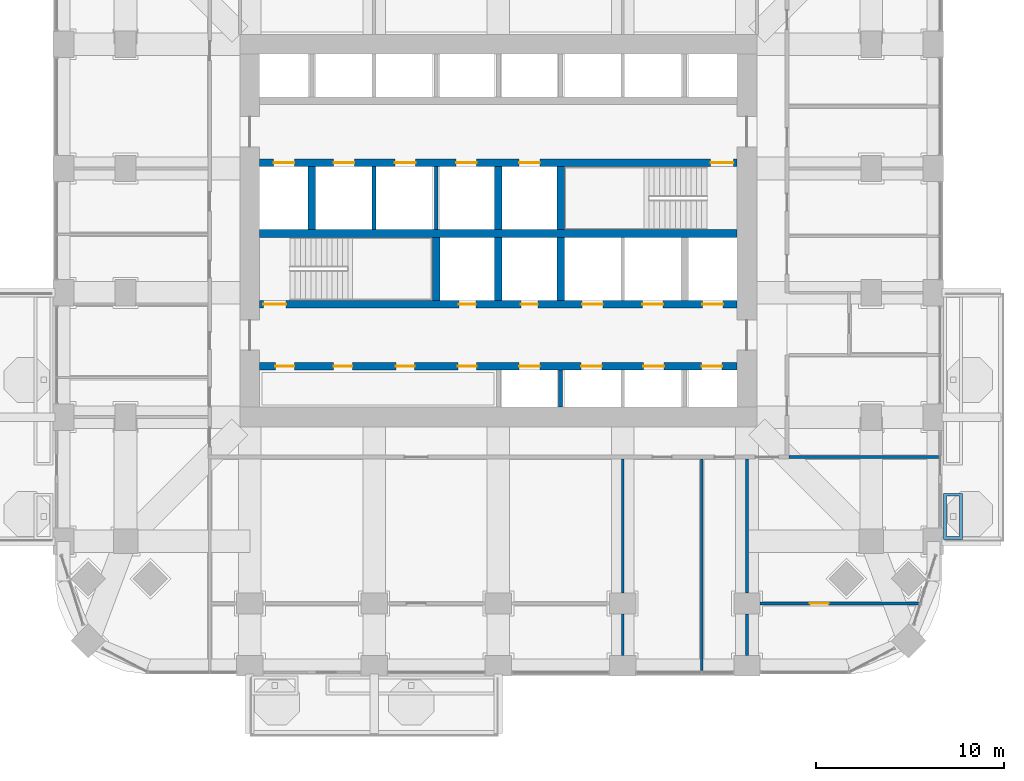
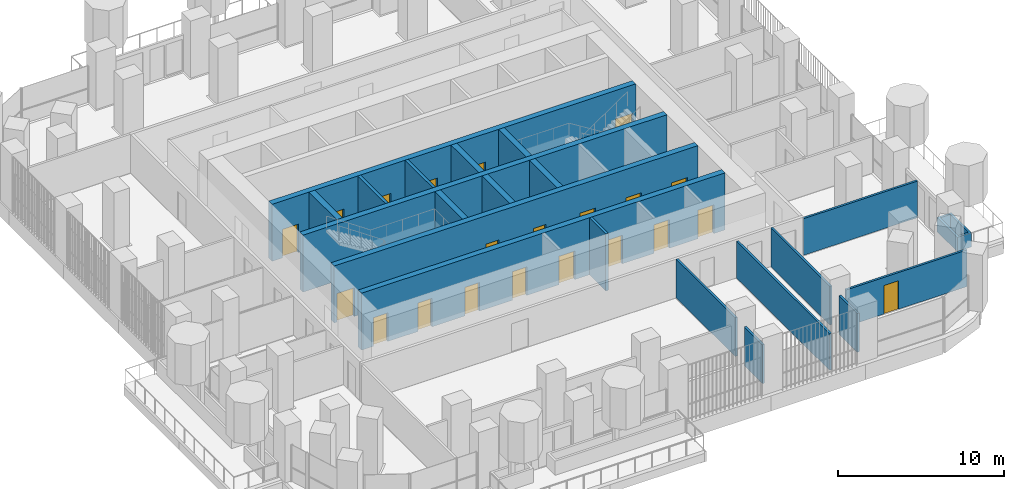
# One storey, part 14 of 21: 21 doors, 21 walls, 21 openings.
"""IFC4 building model written with IfcOpenShell, lengths in metres."""

from ifc_helpers import new_model, si_unit, direction, frame, frame_2d, origin, place, context, subcontext, project, spatial, polyline, rectangle, outline, extrude, material, layer, layer_set, type_object, element, fill, save


model = new_model("IFC4")

# Units and contexts
model_context = context("Model", 3, precision=1e-05, world=origin(), true_north=direction((0.0, 1.0)))
body_context = subcontext(model_context, "Body", "Model", "MODEL_VIEW")
ifc_project = project(units=[si_unit("LENGTHUNIT", "METRE"), si_unit("AREAUNIT", "SQUARE_METRE"), si_unit("VOLUMEUNIT", "CUBIC_METRE"), si_unit("PLANEANGLEUNIT", "RADIAN"), si_unit("MASSUNIT", "GRAM", prefix="KILO")], contexts=[model_context])

# Site, building, storey
site_placement = place(None, origin())
site = spatial("IfcSite", under=ifc_project, at=site_placement, CompositionType="ELEMENT")
building_placement = place(site_placement, origin())
building = spatial("IfcBuilding", under=site, at=building_placement, Name="Cobogo Forest Laboratory Tower", CompositionType="ELEMENT")
storey_placement = place(building_placement, frame((0.0, 0.0, 124.199951171875)))
storey = spatial("IfcBuildingStorey", under=building, at=storey_placement, Name="L28", CompositionType="ELEMENT", Elevation=124.199951171875)

# Wall, openings, doors
ifc_material_1 = material(Name="Concrete HA-50 (C50/60)", Category="concrete")
ifc_layer_1 = layer(ifc_material_1, 0.39990234375)
ifc_layer_set_1 = layer_set([ifc_layer_1], Name="CI400 core inner wall 400")
wall_type_1 = type_object("IfcWallType", Name="CI400 core inner wall 400", PredefinedType="SHEAR", material=ifc_layer_set_1)
wall_1_placement = place(storey_placement, frame((13.72509765625, 15.89990234375, 0.0), z_axis=(0.0, 0.0, 1.0), x_axis=(1.0, 0.0, 0.0)))
wall_1 = element("IfcWall", 1, at=wall_1_placement, inside=storey, type_object=wall_type_1, Name="Core wall CI-15.9 L28", PredefinedType="SHEAR", context=body_context, shape_type="SweptSolid", body=[
    extrude(rectangle(XDim=25.349853515625, YDim=0.39990234375, at=frame_2d((12.6748046875, 0.0))), origin(), (0.0, 0.0, 1.0), 4.199951171875),
])
opening_1_placement = place(wall_1_placement, frame((0.83740234375, 0.0, 0.0)))
opening_1 = element("IfcOpeningElement", 2, at=opening_1_placement, cuts=wall_1, Name="Opening L28-D13", PredefinedType="OPENING", context=body_context, shape_type="SweptSolid", body=[
    extrude(rectangle(XDim=1.0, YDim=2.10009765625, at=frame_2d((0.5, 1.050048828125))), frame((0.0, 0.2099609375, 0.0), z_axis=(0.0, -1.0, 0.0), x_axis=(1.0, 0.0, 0.0)), (0.0, 0.0, 1.0), 0.419921875),
])
opening_2_placement = place(wall_1_placement, frame((3.925048828125, 0.0, 0.0)))
opening_2 = element("IfcOpeningElement", 3, at=opening_2_placement, cuts=wall_1, Name="Opening L28-D14", PredefinedType="OPENING", context=body_context, shape_type="SweptSolid", body=[
    extrude(rectangle(XDim=1.0, YDim=2.10009765625, at=frame_2d((0.5, 1.050048828125))), frame((0.0, 0.2099609375, 0.0), z_axis=(0.0, -1.0, 0.0), x_axis=(1.0, 0.0, 0.0)), (0.0, 0.0, 1.0), 0.419921875),
])
opening_3_placement = place(wall_1_placement, frame((7.22509765625, 0.0, 0.0)))
opening_3 = element("IfcOpeningElement", 4, at=opening_3_placement, cuts=wall_1, Name="Opening L28-D15", PredefinedType="OPENING", context=body_context, shape_type="SweptSolid", body=[
    extrude(rectangle(XDim=1.0, YDim=2.10009765625, at=frame_2d((0.5, 1.050048828125))), frame((0.0, 0.2099609375, 0.0), z_axis=(0.0, -1.0, 0.0), x_axis=(1.0, 0.0, 0.0)), (0.0, 0.0, 1.0), 0.419921875),
])
opening_4_placement = place(wall_1_placement, frame((10.52490234375, 0.0, 0.0)))
opening_4 = element("IfcOpeningElement", 5, at=opening_4_placement, cuts=wall_1, Name="Opening L28-D16", PredefinedType="OPENING", context=body_context, shape_type="SweptSolid", body=[
    extrude(rectangle(XDim=1.0, YDim=2.10009765625, at=frame_2d((0.5, 1.050048828125))), frame((0.0, 0.2099609375, 0.0), z_axis=(0.0, -1.0, 0.0), x_axis=(1.0, 0.0, 0.0)), (0.0, 0.0, 1.0), 0.419921875),
])
opening_5_placement = place(wall_1_placement, frame((13.77490234375, 0.0, 0.0)))
opening_5 = element("IfcOpeningElement", 6, at=opening_5_placement, cuts=wall_1, Name="Opening L28-LD-LB1", PredefinedType="OPENING", context=body_context, shape_type="SweptSolid", body=[
    extrude(rectangle(XDim=1.10009765625, YDim=2.10009765625, at=frame_2d((0.550048828125, 1.050048828125))), frame((0.0, 0.2099609375, 0.0), z_axis=(0.0, -1.0, 0.0), x_axis=(1.0, 0.0, 0.0)), (0.0, 0.0, 1.0), 0.419921875),
])
opening_6_placement = place(wall_1_placement, frame((17.074951171875, 0.0, 0.0)))
opening_6 = element("IfcOpeningElement", 7, at=opening_6_placement, cuts=wall_1, Name="Opening L28-LD-LB2", PredefinedType="OPENING", context=body_context, shape_type="SweptSolid", body=[
    extrude(rectangle(XDim=1.10009765625, YDim=2.10009765625, at=frame_2d((0.550048828125, 1.050048828125))), frame((0.0, 0.2099609375, 0.0), z_axis=(0.0, -1.0, 0.0), x_axis=(1.0, 0.0, 0.0)), (0.0, 0.0, 1.0), 0.419921875),
])
opening_7_placement = place(wall_1_placement, frame((20.375, 0.0, 0.0)))
opening_7 = element("IfcOpeningElement", 8, at=opening_7_placement, cuts=wall_1, Name="Opening L28-LD-LB3", PredefinedType="OPENING", context=body_context, shape_type="SweptSolid", body=[
    extrude(rectangle(XDim=1.10009765625, YDim=2.10009765625, at=frame_2d((0.550048828125, 1.050048828125))), frame((0.0, 0.2099609375, 0.0), z_axis=(0.0, -1.0, 0.0), x_axis=(1.0, 0.0, 0.0)), (0.0, 0.0, 1.0), 0.419921875),
])
opening_8_placement = place(wall_1_placement, frame((23.46240234375, 0.0, 0.0)))
opening_8 = element("IfcOpeningElement", 9, at=opening_8_placement, cuts=wall_1, Name="Opening L28-LD-LB4", PredefinedType="OPENING", context=body_context, shape_type="SweptSolid", body=[
    extrude(rectangle(XDim=1.10009765625, YDim=2.10009765625, at=frame_2d((0.550048828125, 1.050048828125))), frame((0.0, 0.2099609375, 0.0), z_axis=(0.0, -1.0, 0.0), x_axis=(1.0, 0.0, 0.0)), (0.0, 0.0, 1.0), 0.419921875),
])
ifc_material_2 = material(Name="Steel fire door", Category="steel")
door_type_1 = type_object("IfcDoorType", Name="FD1 fire door 1000 EI2 60", OperationType="SINGLE_SWING_LEFT", PredefinedType="DOOR", material=ifc_material_2)
door_1_placement = place(opening_1_placement, origin())
door_1 = element("IfcDoor", 10, at=door_1_placement, inside=storey, type_object=door_type_1, Name="Door L28-SH-LA1", OperationType="SINGLE_SWING_LEFT", OverallHeight=2.10009765625, OverallWidth=1.0, PredefinedType="DOOR", context=body_context, shape_type="SweptSolid", body=[
    extrude(rectangle(XDim=1.0, YDim=2.10009765625, at=frame_2d((0.5, 1.050048828125))), frame((0.0, 0.02490234375, 0.0), z_axis=(0.0, -1.0, 0.0), x_axis=(1.0, 0.0, 0.0)), (0.0, 0.0, 1.0), 0.050048828125),
])
fill(opening_1, door_1)
door_2_placement = place(opening_2_placement, origin())
door_2 = element("IfcDoor", 11, at=door_2_placement, inside=storey, type_object=door_type_1, Name="Door L28-SH-LA2", OperationType="SINGLE_SWING_LEFT", OverallHeight=2.10009765625, OverallWidth=1.0, PredefinedType="DOOR", context=body_context, shape_type="SweptSolid", body=[
    extrude(rectangle(XDim=1.0, YDim=2.10009765625, at=frame_2d((0.5, 1.050048828125))), frame((0.0, 0.02490234375, 0.0), z_axis=(0.0, -1.0, 0.0), x_axis=(1.0, 0.0, 0.0)), (0.0, 0.0, 1.0), 0.050048828125),
])
fill(opening_2, door_2)
door_3_placement = place(opening_3_placement, origin())
door_3 = element("IfcDoor", 12, at=door_3_placement, inside=storey, type_object=door_type_1, Name="Door L28-SH-LA3", OperationType="SINGLE_SWING_LEFT", OverallHeight=2.10009765625, OverallWidth=1.0, PredefinedType="DOOR", context=body_context, shape_type="SweptSolid", body=[
    extrude(rectangle(XDim=1.0, YDim=2.10009765625, at=frame_2d((0.5, 1.050048828125))), frame((0.0, 0.02490234375, 0.0), z_axis=(0.0, -1.0, 0.0), x_axis=(1.0, 0.0, 0.0)), (0.0, 0.0, 1.0), 0.050048828125),
])
fill(opening_3, door_3)
door_4_placement = place(opening_4_placement, origin())
door_4 = element("IfcDoor", 13, at=door_4_placement, inside=storey, type_object=door_type_1, Name="Door L28-SH-LA4", OperationType="SINGLE_SWING_LEFT", OverallHeight=2.10009765625, OverallWidth=1.0, PredefinedType="DOOR", context=body_context, shape_type="SweptSolid", body=[
    extrude(rectangle(XDim=1.0, YDim=2.10009765625, at=frame_2d((0.5, 1.050048828125))), frame((0.0, 0.02490234375, 0.0), z_axis=(0.0, -1.0, 0.0), x_axis=(1.0, 0.0, 0.0)), (0.0, 0.0, 1.0), 0.050048828125),
])
fill(opening_4, door_4)
ifc_material_3 = material(Name="Stainless steel lift door", Category="steel")
door_type_2 = type_object("IfcDoorType", Name="LD lift landing door 1100", OperationType="DOUBLE_DOOR_SLIDING", PredefinedType="DOOR", material=ifc_material_3)
door_5_placement = place(opening_5_placement, origin())
door_5 = element("IfcDoor", 14, at=door_5_placement, inside=storey, type_object=door_type_2, Name="Lift landing door LB1 L28", OperationType="DOUBLE_DOOR_SLIDING", OverallHeight=2.10009765625, OverallWidth=1.10009765625, PredefinedType="DOOR", context=body_context, shape_type="SweptSolid", body=[
    extrude(rectangle(XDim=1.10009765625, YDim=2.10009765625, at=frame_2d((0.550048828125, 1.050048828125))), frame((0.0, 0.02490234375, 0.0), z_axis=(0.0, -1.0, 0.0), x_axis=(1.0, 0.0, 0.0)), (0.0, 0.0, 1.0), 0.050048828125),
])
fill(opening_5, door_5)
door_6_placement = place(opening_6_placement, origin())
door_6 = element("IfcDoor", 15, at=door_6_placement, inside=storey, type_object=door_type_2, Name="Lift landing door LB2 L28", OperationType="DOUBLE_DOOR_SLIDING", OverallHeight=2.10009765625, OverallWidth=1.10009765625, PredefinedType="DOOR", context=body_context, shape_type="SweptSolid", body=[
    extrude(rectangle(XDim=1.10009765625, YDim=2.10009765625, at=frame_2d((0.550048828125, 1.050048828125))), frame((0.0, 0.02490234375, 0.0), z_axis=(0.0, -1.0, 0.0), x_axis=(1.0, 0.0, 0.0)), (0.0, 0.0, 1.0), 0.050048828125),
])
fill(opening_6, door_6)
door_7_placement = place(opening_7_placement, origin())
door_7 = element("IfcDoor", 16, at=door_7_placement, inside=storey, type_object=door_type_2, Name="Lift landing door LB3 L28", OperationType="DOUBLE_DOOR_SLIDING", OverallHeight=2.10009765625, OverallWidth=1.10009765625, PredefinedType="DOOR", context=body_context, shape_type="SweptSolid", body=[
    extrude(rectangle(XDim=1.10009765625, YDim=2.10009765625, at=frame_2d((0.550048828125, 1.050048828125))), frame((0.0, 0.02490234375, 0.0), z_axis=(0.0, -1.0, 0.0), x_axis=(1.0, 0.0, 0.0)), (0.0, 0.0, 1.0), 0.050048828125),
])
fill(opening_7, door_7)
door_8_placement = place(opening_8_placement, origin())
door_8 = element("IfcDoor", 17, at=door_8_placement, inside=storey, type_object=door_type_2, Name="Lift landing door LB4 L28", OperationType="DOUBLE_DOOR_SLIDING", OverallHeight=2.10009765625, OverallWidth=1.10009765625, PredefinedType="DOOR", context=body_context, shape_type="SweptSolid", body=[
    extrude(rectangle(XDim=1.10009765625, YDim=2.10009765625, at=frame_2d((0.550048828125, 1.050048828125))), frame((0.0, 0.02490234375, 0.0), z_axis=(0.0, -1.0, 0.0), x_axis=(1.0, 0.0, 0.0)), (0.0, 0.0, 1.0), 0.050048828125),
])
fill(opening_8, door_8)

wall_2_placement = place(storey_placement, frame((13.72509765625, 19.199951171875, 0.0), z_axis=(0.0, 0.0, 1.0), x_axis=(1.0, 0.0, 0.0)))
wall_2 = element("IfcWall", 18, at=wall_2_placement, inside=storey, type_object=wall_type_1, Name="Core wall CI-19.2 L28", PredefinedType="SHEAR", context=body_context, shape_type="SweptSolid", body=[
    extrude(rectangle(XDim=25.349853515625, YDim=0.39990234375, at=frame_2d((12.6748046875, 0.0))), origin(), (0.0, 0.0, 1.0), 4.199951171875),
])
opening_9_placement = place(wall_2_placement, frame((10.574951171875, 0.0, 0.0)))
opening_9 = element("IfcOpeningElement", 19, at=opening_9_placement, cuts=wall_2, Name="Opening L28-D22", PredefinedType="OPENING", context=body_context, shape_type="SweptSolid", body=[
    extrude(rectangle(XDim=0.89990234375, YDim=2.10009765625, at=frame_2d((0.449951171875, 1.050048828125))), frame((0.0, 0.2099609375, 0.0), z_axis=(0.0, -1.0, 0.0), x_axis=(1.0, 0.0, 0.0)), (0.0, 0.0, 1.0), 0.419921875),
])
opening_10_placement = place(wall_2_placement, frame((13.875, 0.0, 0.0)))
opening_10 = element("IfcOpeningElement", 20, at=opening_10_placement, cuts=wall_2, Name="Opening L28-D23", PredefinedType="OPENING", context=body_context, shape_type="SweptSolid", body=[
    extrude(rectangle(XDim=0.89990234375, YDim=2.10009765625, at=frame_2d((0.449951171875, 1.050048828125))), frame((0.0, 0.2099609375, 0.0), z_axis=(0.0, -1.0, 0.0), x_axis=(1.0, 0.0, 0.0)), (0.0, 0.0, 1.0), 0.419921875),
])
opening_11_placement = place(wall_2_placement, frame((0.199951171875, 0.0, 0.0)))
opening_11 = element("IfcOpeningElement", 21, at=opening_11_placement, cuts=wall_2, Name="Opening L28-D21", PredefinedType="OPENING", context=body_context, shape_type="SweptSolid", body=[
    extrude(rectangle(XDim=1.199951171875, YDim=2.10009765625, at=frame_2d((0.60009765625, 1.050048828125))), frame((0.0, 0.2099609375, 0.0), z_axis=(0.0, -1.0, 0.0), x_axis=(1.0, 0.0, 0.0)), (0.0, 0.0, 1.0), 0.419921875),
])
opening_12_placement = place(wall_2_placement, frame((23.512451171875, 0.0, 0.0)))
opening_12 = element("IfcOpeningElement", 22, at=opening_12_placement, cuts=wall_2, Name="Opening L28-LD-FL2", PredefinedType="OPENING", context=body_context, shape_type="SweptSolid", body=[
    extrude(rectangle(XDim=1.10009765625, YDim=2.10009765625, at=frame_2d((0.550048828125, 1.050048828125))), frame((0.0, 0.2099609375, 0.0), z_axis=(0.0, -1.0, 0.0), x_axis=(1.0, 0.0, 0.0)), (0.0, 0.0, 1.0), 0.419921875),
])
opening_13_placement = place(wall_2_placement, frame((17.125, 0.0, 0.0)))
opening_13 = element("IfcOpeningElement", 23, at=opening_13_placement, cuts=wall_2, Name="Opening L28-LD-LS1", PredefinedType="OPENING", context=body_context, shape_type="SweptSolid", body=[
    extrude(rectangle(XDim=1.10009765625, YDim=2.10009765625, at=frame_2d((0.550048828125, 1.050048828125))), frame((0.0, 0.2099609375, 0.0), z_axis=(0.0, -1.0, 0.0), x_axis=(1.0, 0.0, 0.0)), (0.0, 0.0, 1.0), 0.419921875),
])
opening_14_placement = place(wall_2_placement, frame((20.324951171875, 0.0, 0.0)))
opening_14 = element("IfcOpeningElement", 24, at=opening_14_placement, cuts=wall_2, Name="Opening L28-LD-LS2", PredefinedType="OPENING", context=body_context, shape_type="SweptSolid", body=[
    extrude(rectangle(XDim=1.10009765625, YDim=2.10009765625, at=frame_2d((0.550048828125, 1.050048828125))), frame((0.0, 0.2099609375, 0.0), z_axis=(0.0, -1.0, 0.0), x_axis=(1.0, 0.0, 0.0)), (0.0, 0.0, 1.0), 0.419921875),
])
door_type_3 = type_object("IfcDoorType", Name="DS1 protected stair door 1200 EI2 60", OperationType="SINGLE_SWING_LEFT", PredefinedType="DOOR", material=ifc_material_2)
door_9_placement = place(opening_11_placement, origin())
door_9 = element("IfcDoor", 25, at=door_9_placement, inside=storey, type_object=door_type_3, Name="Door L28-ST1", OperationType="SINGLE_SWING_LEFT", OverallHeight=2.10009765625, OverallWidth=1.199951171875, PredefinedType="DOOR", context=body_context, shape_type="SweptSolid", body=[
    extrude(rectangle(XDim=1.199951171875, YDim=2.10009765625, at=frame_2d((0.60009765625, 1.050048828125))), frame((0.0, 0.02490234375, 0.0), z_axis=(0.0, -1.0, 0.0), x_axis=(1.0, 0.0, 0.0)), (0.0, 0.0, 1.0), 0.050048828125),
])
fill(opening_11, door_9)
door_type_4 = type_object("IfcDoorType", Name="FD4 riser access door 900 EI2 60", OperationType="SINGLE_SWING_LEFT", PredefinedType="DOOR", material=ifc_material_2)
door_10_placement = place(opening_9_placement, origin())
door_10 = element("IfcDoor", 26, at=door_10_placement, inside=storey, type_object=door_type_4, Name="Door L28-R1", OperationType="SINGLE_SWING_LEFT", OverallHeight=2.10009765625, OverallWidth=0.89990234375, PredefinedType="DOOR", context=body_context, shape_type="SweptSolid", body=[
    extrude(rectangle(XDim=0.89990234375, YDim=2.10009765625, at=frame_2d((0.449951171875, 1.050048828125))), frame((0.0, 0.02490234375, 0.0), z_axis=(0.0, -1.0, 0.0), x_axis=(1.0, 0.0, 0.0)), (0.0, 0.0, 1.0), 0.050048828125),
])
fill(opening_9, door_10)
door_11_placement = place(opening_10_placement, origin())
door_11 = element("IfcDoor", 27, at=door_11_placement, inside=storey, type_object=door_type_4, Name="Door L28-R2", OperationType="SINGLE_SWING_RIGHT", OverallHeight=2.10009765625, OverallWidth=0.89990234375, PredefinedType="DOOR", context=body_context, shape_type="SweptSolid", body=[
    extrude(rectangle(XDim=0.89990234375, YDim=2.10009765625, at=frame_2d((0.449951171875, 1.050048828125))), frame((0.0, 0.02490234375, 0.0), z_axis=(0.0, -1.0, 0.0), x_axis=(1.0, 0.0, 0.0)), (0.0, 0.0, 1.0), 0.050048828125),
])
fill(opening_10, door_11)
door_12_placement = place(opening_12_placement, origin())
door_12 = element("IfcDoor", 28, at=door_12_placement, inside=storey, type_object=door_type_2, Name="Lift landing door FL2 L28", OperationType="DOUBLE_DOOR_SLIDING", OverallHeight=2.10009765625, OverallWidth=1.10009765625, PredefinedType="DOOR", context=body_context, shape_type="SweptSolid", body=[
    extrude(rectangle(XDim=1.10009765625, YDim=2.10009765625, at=frame_2d((0.550048828125, 1.050048828125))), frame((0.0, 0.02490234375, 0.0), z_axis=(0.0, -1.0, 0.0), x_axis=(1.0, 0.0, 0.0)), (0.0, 0.0, 1.0), 0.050048828125),
])
fill(opening_12, door_12)
door_13_placement = place(opening_13_placement, origin())
door_13 = element("IfcDoor", 29, at=door_13_placement, inside=storey, type_object=door_type_2, Name="Lift landing door LS1 L28", OperationType="DOUBLE_DOOR_SLIDING", OverallHeight=2.10009765625, OverallWidth=1.10009765625, PredefinedType="DOOR", context=body_context, shape_type="SweptSolid", body=[
    extrude(rectangle(XDim=1.10009765625, YDim=2.10009765625, at=frame_2d((0.550048828125, 1.050048828125))), frame((0.0, 0.02490234375, 0.0), z_axis=(0.0, -1.0, 0.0), x_axis=(1.0, 0.0, 0.0)), (0.0, 0.0, 1.0), 0.050048828125),
])
fill(opening_13, door_13)
door_14_placement = place(opening_14_placement, origin())
door_14 = element("IfcDoor", 30, at=door_14_placement, inside=storey, type_object=door_type_2, Name="Lift landing door LS2 L28", OperationType="DOUBLE_DOOR_SLIDING", OverallHeight=2.10009765625, OverallWidth=1.10009765625, PredefinedType="DOOR", context=body_context, shape_type="SweptSolid", body=[
    extrude(rectangle(XDim=1.10009765625, YDim=2.10009765625, at=frame_2d((0.550048828125, 1.050048828125))), frame((0.0, 0.02490234375, 0.0), z_axis=(0.0, -1.0, 0.0), x_axis=(1.0, 0.0, 0.0)), (0.0, 0.0, 1.0), 0.050048828125),
])
fill(opening_14, door_14)

# Wall
wall_3_placement = place(storey_placement, frame((13.72509765625, 22.949951171875, 0.0), z_axis=(0.0, 0.0, 1.0), x_axis=(1.0, 0.0, 0.0)))
element("IfcWall", 31, at=wall_3_placement, inside=storey, type_object=wall_type_1, Name="Core wall CI-22.95 L28", PredefinedType="SHEAR", context=body_context, shape_type="SweptSolid", body=[
    extrude(rectangle(XDim=25.349853515625, YDim=0.39990234375, at=frame_2d((12.6748046875, 0.0))), origin(), (0.0, 0.0, 1.0), 4.199951171875),
])

# Wall, openings, doors
wall_4_placement = place(storey_placement, frame((13.72509765625, 26.699951171875, 0.0), z_axis=(0.0, 0.0, 1.0), x_axis=(1.0, 0.0, 0.0)))
wall_4 = element("IfcWall", 32, at=wall_4_placement, inside=storey, type_object=wall_type_1, Name="Core wall CI-26.7 L28", PredefinedType="SHEAR", context=body_context, shape_type="SweptSolid", body=[
    extrude(rectangle(XDim=25.349853515625, YDim=0.39990234375, at=frame_2d((12.6748046875, 0.0))), origin(), (0.0, 0.0, 1.0), 4.199951171875),
])
opening_15_placement = place(wall_4_placement, frame((23.949951171875, 0.0, 0.0)))
opening_15 = element("IfcOpeningElement", 33, at=opening_15_placement, cuts=wall_4, Name="Opening L28-D28", PredefinedType="OPENING", context=body_context, shape_type="SweptSolid", body=[
    extrude(rectangle(XDim=1.199951171875, YDim=2.10009765625, at=frame_2d((0.60009765625, 1.050048828125))), frame((0.0, 0.2099609375, 0.0), z_axis=(0.0, -1.0, 0.0), x_axis=(1.0, 0.0, 0.0)), (0.0, 0.0, 1.0), 0.419921875),
])
opening_16_placement = place(wall_4_placement, frame((0.737548828125, 0.0, 0.0)))
opening_16 = element("IfcOpeningElement", 34, at=opening_16_placement, cuts=wall_4, Name="Opening L28-LD-FL1", PredefinedType="OPENING", context=body_context, shape_type="SweptSolid", body=[
    extrude(rectangle(XDim=1.10009765625, YDim=2.10009765625, at=frame_2d((0.550048828125, 1.050048828125))), frame((0.0, 0.2099609375, 0.0), z_axis=(0.0, -1.0, 0.0), x_axis=(1.0, 0.0, 0.0)), (0.0, 0.0, 1.0), 0.419921875),
])
opening_17_placement = place(wall_4_placement, frame((3.925048828125, 0.0, 0.0)))
opening_17 = element("IfcOpeningElement", 35, at=opening_17_placement, cuts=wall_4, Name="Opening L28-LD-LS3", PredefinedType="OPENING", context=body_context, shape_type="SweptSolid", body=[
    extrude(rectangle(XDim=1.10009765625, YDim=2.10009765625, at=frame_2d((0.550048828125, 1.050048828125))), frame((0.0, 0.2099609375, 0.0), z_axis=(0.0, -1.0, 0.0), x_axis=(1.0, 0.0, 0.0)), (0.0, 0.0, 1.0), 0.419921875),
])
opening_18_placement = place(wall_4_placement, frame((7.175048828125, 0.0, 0.0)))
opening_18 = element("IfcOpeningElement", 36, at=opening_18_placement, cuts=wall_4, Name="Opening L28-LD-LS4", PredefinedType="OPENING", context=body_context, shape_type="SweptSolid", body=[
    extrude(rectangle(XDim=1.10009765625, YDim=2.10009765625, at=frame_2d((0.550048828125, 1.050048828125))), frame((0.0, 0.2099609375, 0.0), z_axis=(0.0, -1.0, 0.0), x_axis=(1.0, 0.0, 0.0)), (0.0, 0.0, 1.0), 0.419921875),
])
opening_19_placement = place(wall_4_placement, frame((10.425048828125, 0.0, 0.0)))
opening_19 = element("IfcOpeningElement", 37, at=opening_19_placement, cuts=wall_4, Name="Opening L28-LD-LS5", PredefinedType="OPENING", context=body_context, shape_type="SweptSolid", body=[
    extrude(rectangle(XDim=1.10009765625, YDim=2.10009765625, at=frame_2d((0.550048828125, 1.050048828125))), frame((0.0, 0.2099609375, 0.0), z_axis=(0.0, -1.0, 0.0), x_axis=(1.0, 0.0, 0.0)), (0.0, 0.0, 1.0), 0.419921875),
])
opening_20_placement = place(wall_4_placement, frame((13.77490234375, 0.0, 0.0)))
opening_20 = element("IfcOpeningElement", 38, at=opening_20_placement, cuts=wall_4, Name="Opening L28-LD-LS6", PredefinedType="OPENING", context=body_context, shape_type="SweptSolid", body=[
    extrude(rectangle(XDim=1.10009765625, YDim=2.10009765625, at=frame_2d((0.550048828125, 1.050048828125))), frame((0.0, 0.2099609375, 0.0), z_axis=(0.0, -1.0, 0.0), x_axis=(1.0, 0.0, 0.0)), (0.0, 0.0, 1.0), 0.419921875),
])
door_15_placement = place(opening_15_placement, origin())
door_15 = element("IfcDoor", 39, at=door_15_placement, inside=storey, type_object=door_type_3, Name="Door L28-ST2", OperationType="SINGLE_SWING_RIGHT", OverallHeight=2.10009765625, OverallWidth=1.199951171875, PredefinedType="DOOR", context=body_context, shape_type="SweptSolid", body=[
    extrude(rectangle(XDim=1.199951171875, YDim=2.10009765625, at=frame_2d((0.60009765625, 1.050048828125))), frame((0.0, 0.02490234375, 0.0), z_axis=(0.0, -1.0, 0.0), x_axis=(1.0, 0.0, 0.0)), (0.0, 0.0, 1.0), 0.050048828125),
])
fill(opening_15, door_15)
door_16_placement = place(opening_16_placement, origin())
door_16 = element("IfcDoor", 40, at=door_16_placement, inside=storey, type_object=door_type_2, Name="Lift landing door FL1 L28", OperationType="DOUBLE_DOOR_SLIDING", OverallHeight=2.10009765625, OverallWidth=1.10009765625, PredefinedType="DOOR", context=body_context, shape_type="SweptSolid", body=[
    extrude(rectangle(XDim=1.10009765625, YDim=2.10009765625, at=frame_2d((0.550048828125, 1.050048828125))), frame((0.0, 0.02490234375, 0.0), z_axis=(0.0, -1.0, 0.0), x_axis=(1.0, 0.0, 0.0)), (0.0, 0.0, 1.0), 0.050048828125),
])
fill(opening_16, door_16)
door_17_placement = place(opening_17_placement, origin())
door_17 = element("IfcDoor", 41, at=door_17_placement, inside=storey, type_object=door_type_2, Name="Lift landing door LS3 L28", OperationType="DOUBLE_DOOR_SLIDING", OverallHeight=2.10009765625, OverallWidth=1.10009765625, PredefinedType="DOOR", context=body_context, shape_type="SweptSolid", body=[
    extrude(rectangle(XDim=1.10009765625, YDim=2.10009765625, at=frame_2d((0.550048828125, 1.050048828125))), frame((0.0, 0.02490234375, 0.0), z_axis=(0.0, -1.0, 0.0), x_axis=(1.0, 0.0, 0.0)), (0.0, 0.0, 1.0), 0.050048828125),
])
fill(opening_17, door_17)
door_18_placement = place(opening_18_placement, origin())
door_18 = element("IfcDoor", 42, at=door_18_placement, inside=storey, type_object=door_type_2, Name="Lift landing door LS4 L28", OperationType="DOUBLE_DOOR_SLIDING", OverallHeight=2.10009765625, OverallWidth=1.10009765625, PredefinedType="DOOR", context=body_context, shape_type="SweptSolid", body=[
    extrude(rectangle(XDim=1.10009765625, YDim=2.10009765625, at=frame_2d((0.550048828125, 1.050048828125))), frame((0.0, 0.02490234375, 0.0), z_axis=(0.0, -1.0, 0.0), x_axis=(1.0, 0.0, 0.0)), (0.0, 0.0, 1.0), 0.050048828125),
])
fill(opening_18, door_18)
door_19_placement = place(opening_19_placement, origin())
door_19 = element("IfcDoor", 43, at=door_19_placement, inside=storey, type_object=door_type_2, Name="Lift landing door LS5 L28", OperationType="DOUBLE_DOOR_SLIDING", OverallHeight=2.10009765625, OverallWidth=1.10009765625, PredefinedType="DOOR", context=body_context, shape_type="SweptSolid", body=[
    extrude(rectangle(XDim=1.10009765625, YDim=2.10009765625, at=frame_2d((0.550048828125, 1.050048828125))), frame((0.0, 0.02490234375, 0.0), z_axis=(0.0, -1.0, 0.0), x_axis=(1.0, 0.0, 0.0)), (0.0, 0.0, 1.0), 0.050048828125),
])
fill(opening_19, door_19)
door_20_placement = place(opening_20_placement, origin())
door_20 = element("IfcDoor", 44, at=door_20_placement, inside=storey, type_object=door_type_2, Name="Lift landing door LS6 L28", OperationType="DOUBLE_DOOR_SLIDING", OverallHeight=2.10009765625, OverallWidth=1.10009765625, PredefinedType="DOOR", context=body_context, shape_type="SweptSolid", body=[
    extrude(rectangle(XDim=1.10009765625, YDim=2.10009765625, at=frame_2d((0.550048828125, 1.050048828125))), frame((0.0, 0.02490234375, 0.0), z_axis=(0.0, -1.0, 0.0), x_axis=(1.0, 0.0, 0.0)), (0.0, 0.0, 1.0), 0.050048828125),
])
fill(opening_20, door_20)

# Walls
for number, where, z_axis, x_axis, name in (
    (45, (23.10009765625, 19.39990234375, 0.0), (0.0, 0.0, 1.0), (0.0, 1.0, 0.0), "Core wall CX-23.1 L28"),
    (46, (26.39990234375, 19.39990234375, 0.0), (0.0, 0.0, 1.0), (0.0, 1.0, 0.0), "Core wall CX-26.4S L28"),
    (47, (29.699951171875, 19.39990234375, 0.0), (0.0, 0.0, 1.0), (0.0, 1.0, 0.0), "Core wall CX-29.7S L28"),
    (48, (16.5, 23.14990234375, 0.0), (0.0, 0.0, 1.0), (0.0, 1.0, 0.0), "Core wall CX-16.5 L28"),
    (49, (26.39990234375, 23.14990234375, 0.0), (0.0, 0.0, 1.0), (0.0, 1.0, 0.0), "Core wall CX-26.4N L28"),
    (50, (29.699951171875, 23.14990234375, 0.0), (0.0, 0.0, 1.0), (0.0, 1.0, 0.0), "Core wall CX-29.7N L28"),
):
    element("IfcWall", number, at=place(storey_placement, frame(where, z_axis=z_axis, x_axis=x_axis)), inside=storey, type_object=wall_type_1, Name=name, PredefinedType="SHEAR", context=body_context, shape_type="SweptSolid", body=[
        extrude(rectangle(XDim=3.35009765625, YDim=0.39990234375, at=frame_2d((1.675048828125, 0.0))), origin(), (0.0, 0.0, 1.0), 4.199951171875),
    ])
ifc_material_4 = material(Name="Gypsum board on steel studs", Category="steel")
ifc_layer_2 = layer(ifc_material_4, 0.14990234375)
ifc_layer_set_2 = layer_set([ifc_layer_2], Name="PT1 laboratory partition 150")
wall_type_2 = type_object("IfcWallType", Name="PT1 laboratory partition 150", PredefinedType="PARTITIONING", material=ifc_layer_set_2)
wall_5_placement = place(storey_placement, frame((49.77001953125, 11.074951171875, 0.0), z_axis=(0.0, 0.0, 1.0), x_axis=(-1.0, 0.0, 0.0)))
element("IfcWall", 51, at=wall_5_placement, inside=storey, type_object=wall_type_2, Name="Partition PW-SE L28", PredefinedType="PARTITIONING", context=body_context, shape_type="SweptSolid", body=[
    extrude(rectangle(XDim=7.945068359375, YDim=0.14990234375, at=frame_2d((3.97265625, 0.0))), origin(), (0.0, 0.0, 1.0), 2.699951171875),
])

# Wall, opening, door
wall_6_placement = place(storey_placement, frame((40.300048828125, 3.300048828125, 0.0), z_axis=(0.0, 0.0, 1.0), x_axis=(1.0, 0.0, 0.0)))
wall_6 = element("IfcWall", 52, at=wall_6_placement, inside=storey, type_object=wall_type_2, Name="Partition STRIP-S-5 L28", PredefinedType="PARTITIONING", context=body_context, shape_type="SweptSolid", body=[
    extrude(rectangle(XDim=8.423828125, YDim=0.14990234375, at=frame_2d((4.2119140625, 0.0))), origin(), (0.0, 0.0, 1.0), 2.699951171875),
])
opening_21_placement = place(wall_6_placement, frame((2.64208984375, 0.0, 0.0)))
opening_21 = element("IfcOpeningElement", 53, at=opening_21_placement, cuts=wall_6, Name="Opening L28-D03", PredefinedType="OPENING", context=body_context, shape_type="SweptSolid", body=[
    extrude(rectangle(XDim=1.0, YDim=2.10009765625, at=frame_2d((0.5, 1.050048828125))), frame((0.0, 0.0849609375, 0.0), z_axis=(0.0, -1.0, 0.0), x_axis=(1.0, 0.0, 0.0)), (0.0, 0.0, 1.0), 0.169921875),
])
ifc_material_5 = material(Name="Timber fire door", Category="wood")
door_type_5 = type_object("IfcDoorType", Name="FD2 fire door 1000 EI2 30", OperationType="SINGLE_SWING_LEFT", PredefinedType="DOOR", material=ifc_material_5)
door_21_placement = place(opening_21_placement, origin())
door_21 = element("IfcDoor", 54, at=door_21_placement, inside=storey, type_object=door_type_5, Name="Door L28-S2W", OperationType="SINGLE_SWING_LEFT", OverallHeight=2.10009765625, OverallWidth=1.0, PredefinedType="DOOR", context=body_context, shape_type="SweptSolid", body=[
    extrude(rectangle(XDim=1.0, YDim=2.10009765625, at=frame_2d((0.5, 1.050048828125))), frame((0.0, 0.02490234375, 0.0), z_axis=(0.0, -1.0, 0.0), x_axis=(1.0, 0.0, 0.0)), (0.0, 0.0, 1.0), 0.050048828125),
])
fill(opening_21, door_21)

# Walls
wall_7_placement = place(storey_placement, frame((37.199951171875, -0.27001953125, 0.0), z_axis=(0.0, 0.0, 1.0), x_axis=(0.0, 1.0, 0.0)))
element("IfcWall", 55, at=wall_7_placement, inside=storey, type_object=wall_type_2, Name="Partition SVC-S1-1 L28", PredefinedType="PARTITIONING", context=body_context, shape_type="SweptSolid", body=[
    extrude(rectangle(XDim=11.2451171875, YDim=0.14990234375, at=frame_2d((5.62255859375, 0.0))), origin(), (0.0, 0.0, 1.0), 2.699951171875),
])
wall_8_placement = place(storey_placement, frame((39.60009765625, 0.550048828125, 0.0), z_axis=(0.0, 0.0, 1.0), x_axis=(0.0, 1.0, 0.0)))
element("IfcWall", 56, at=wall_8_placement, inside=storey, type_object=wall_type_2, Name="Partition SVC-S2-1 L28", PredefinedType="PARTITIONING", context=body_context, shape_type="SweptSolid", body=[
    extrude(rectangle(XDim=2.199951171875, YDim=0.14990234375, at=frame_2d((1.10009765625, 0.0))), origin(), (0.0, 0.0, 1.0), 2.85009765625),
])
wall_9_placement = place(storey_placement, frame((39.60009765625, 3.85009765625, 0.0), z_axis=(0.0, 0.0, 1.0), x_axis=(0.0, 1.0, 0.0)))
element("IfcWall", 57, at=wall_9_placement, inside=storey, type_object=wall_type_2, Name="Partition SVC-S2-2 L28", PredefinedType="PARTITIONING", context=body_context, shape_type="SweptSolid", body=[
    extrude(rectangle(XDim=7.125, YDim=0.14990234375, at=frame_2d((3.5625, 0.0))), origin(), (0.0, 0.0, 1.0), 2.85009765625),
])
wall_10_placement = place(storey_placement, frame((33.0, 0.550048828125, 0.0), z_axis=(0.0, 0.0, 1.0), x_axis=(0.0, 1.0, 0.0)))
element("IfcWall", 58, at=wall_10_placement, inside=storey, type_object=wall_type_2, Name="Partition CUT-S33-1 L28", PredefinedType="PARTITIONING", context=body_context, shape_type="SweptSolid", body=[
    extrude(rectangle(XDim=2.199951171875, YDim=0.14990234375, at=frame_2d((1.10009765625, 0.0))), origin(), (0.0, 0.0, 1.0), 2.85009765625),
])
wall_11_placement = place(storey_placement, frame((33.0, 3.85009765625, 0.0), z_axis=(0.0, 0.0, 1.0), x_axis=(0.0, 1.0, 0.0)))
element("IfcWall", 59, at=wall_11_placement, inside=storey, type_object=wall_type_2, Name="Partition CUT-S33-2 L28", PredefinedType="PARTITIONING", context=body_context, shape_type="SweptSolid", body=[
    extrude(rectangle(XDim=7.125, YDim=0.14990234375, at=frame_2d((3.5625, 0.0))), origin(), (0.0, 0.0, 1.0), 2.85009765625),
])
ifc_material_6 = material(Name="Concrete HA-40 (C40/50)", Category="concrete")
ifc_layer_3 = layer(ifc_material_6, 0.14990234375)
ifc_layer_set_3 = layer_set([ifc_layer_3], Name="Planter box 1000x1050")
wall_type_3 = type_object("IfcWallType", Name="Planter box 1000x1050", PredefinedType="USERDEFINED", material=ifc_layer_set_3)
wall_12_placement = place(storey_placement, origin())
element("IfcWall", 60, at=wall_12_placement, inside=storey, type_object=wall_type_3, Name="Planter BAL-E1-1 L28", ObjectType="PLANTER", PredefinedType="USERDEFINED", context=body_context, shape_type="SweptSolid", body=[
    extrude(outline(polyline([(50.050048828125, 6.699951171875), (51.050048828125, 6.699951171875), (51.050048828125, 9.14990234375), (50.050048828125, 9.14990234375), (50.050048828125, 6.699951171875)]), holes=[polyline([(50.199951171875, 6.85009765625), (50.89990234375, 6.85009765625), (50.89990234375, 9.0), (50.199951171875, 9.0), (50.199951171875, 6.85009765625)])]), origin(), (0.0, 0.0, 1.0), 1.050048828125),
])
ifc_material_7 = material(Name="Concrete block", Category="concrete")
ifc_layer_4 = layer(ifc_material_7, 0.199951171875)
ifc_layer_set_4 = layer_set([ifc_layer_4], Name="SW200 lift shaft separator 200")
wall_type_4 = type_object("IfcWallType", Name="SW200 lift shaft separator 200", PredefinedType="PARTITIONING", material=ifc_layer_set_4)
wall_13_placement = place(storey_placement, frame((29.699951171875, 13.72509765625, 0.0), z_axis=(0.0, 0.0, 1.0), x_axis=(0.0, 1.0, 0.0)))
element("IfcWall", 61, at=wall_13_placement, inside=storey, type_object=wall_type_4, Name="Core wall SEP-S5 L28", PredefinedType="PARTITIONING", context=body_context, shape_type="SweptSolid", body=[
    extrude(rectangle(XDim=1.974853515625, YDim=0.199951171875, at=frame_2d((0.9873046875, 0.0))), origin(), (0.0, 0.0, 1.0), 4.199951171875),
])
for number, where, z_axis, x_axis, name in (
    (62, (19.800048828125, 23.14990234375, 0.0), (0.0, 0.0, 1.0), (0.0, 1.0, 0.0), "Core wall SEP-M19.8 L28"),
    (63, (23.10009765625, 23.14990234375, 0.0), (0.0, 0.0, 1.0), (0.0, 1.0, 0.0), "Core wall SEP-M23.1 L28"),
):
    element("IfcWall", number, at=place(storey_placement, frame(where, z_axis=z_axis, x_axis=x_axis)), inside=storey, type_object=wall_type_4, Name=name, PredefinedType="PARTITIONING", context=body_context, shape_type="SweptSolid", body=[
        extrude(rectangle(XDim=3.35009765625, YDim=0.199951171875, at=frame_2d((1.675048828125, 0.0))), origin(), (0.0, 0.0, 1.0), 4.199951171875),
    ])

save(model, "model.ifc")
